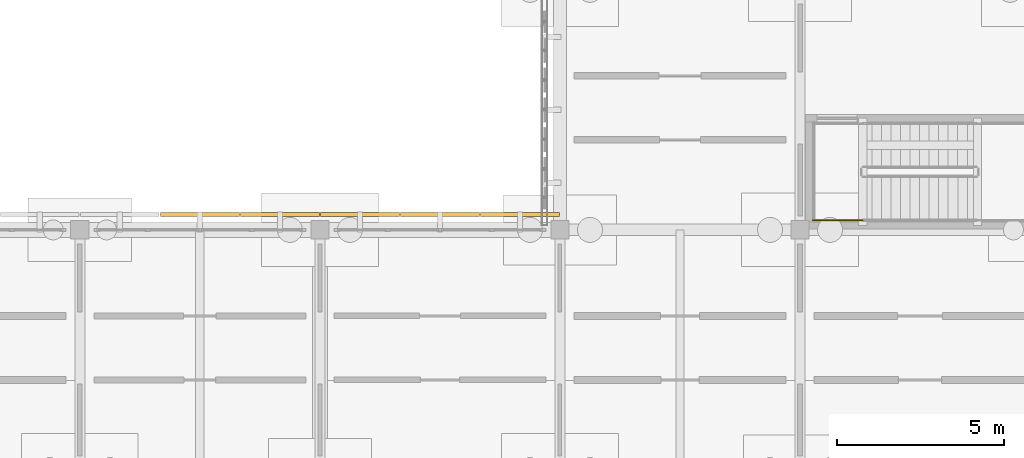
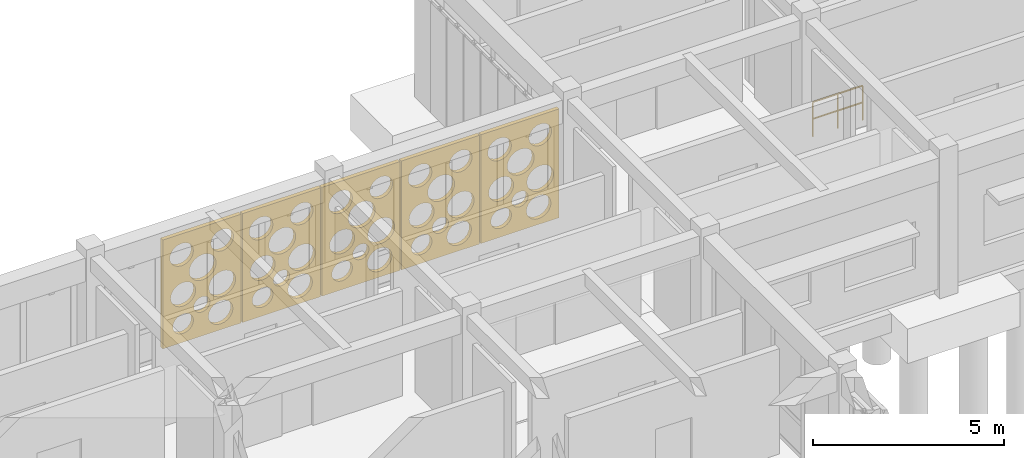
# One storey, part 105 of 111: 5 coverings, 1 railing.
"""IFC4 building model written with IfcOpenShell, lengths in metres."""

from ifc_helpers import new_model, si_unit, direction, frame, origin, origin_2d, place, context, subcontext, project, spatial, polyline, circle, outline, extrude, material, layer, layer_set, type_object, element, save


model = new_model("IFC4")

# Units and contexts
model_context = context("Model", 3, precision=1e-05, world=origin(), true_north=direction((0.0, 1.0)))
body_context = subcontext(model_context, "Body", "Model", "MODEL_VIEW")
ifc_project = project(units=[si_unit("LENGTHUNIT", "METRE"), si_unit("AREAUNIT", "SQUARE_METRE"), si_unit("VOLUMEUNIT", "CUBIC_METRE"), si_unit("PLANEANGLEUNIT", "RADIAN"), si_unit("MASSUNIT", "GRAM", prefix="KILO")], contexts=[model_context])

# Site, building, storey
site_placement = place(None, origin())
site = spatial("IfcSite", under=ifc_project, at=site_placement, CompositionType="ELEMENT")
building_placement = place(site_placement, origin())
building = spatial("IfcBuilding", under=site, at=building_placement, Name="Aldebral Square Health Centre", CompositionType="ELEMENT")
storey_placement = place(building_placement, origin())
storey = spatial("IfcBuildingStorey", under=building, at=storey_placement, Name="L00", CompositionType="ELEMENT", Elevation=0.0)

# Coverings
ifc_material_1 = material(Name="Cream cantera perforated stone screen", Category="masonry")
ifc_layer = layer(ifc_material_1, 0.1201171875, Name="Cream cantera perforated stone screen", Category="masonry")
ifc_layer_set = layer_set([ifc_layer], Name="Cream cantera perforated stone screen")
covering_type = type_object("IfcCoveringType", Name="COV-SCR-120", PredefinedType="CLADDING", material=ifc_layer_set)
covering_1_placement = place(storey_placement, frame((100.780029296875, 101.260009765625, 0.0), z_axis=(0.0, 0.0, 1.0), x_axis=(-1.0, 0.0, 0.0)))
element("IfcCovering", 1, at=covering_1_placement, inside=storey, type_object=covering_type, Name="L00 V1 circular-aperture stone screen L00-V1-13-13-N.1", PredefinedType="CLADDING", context=body_context, shape_type="SweptSolid", body=[
    extrude(outline(polyline([(0.0, 0.0), (2.360107421875, 0.0), (2.360107421875, 3.469970703125), (0.0, 3.469970703125), (0.0, 0.0)]), holes=[polyline([(0.98486328125, 0.55517578125), (0.966552734375, 0.4404296875), (0.913818359375, 0.3369140625), (0.831787109375, 0.2548828125), (0.728271484375, 0.2021484375), (0.613525390625, 0.18408203125), (0.498779296875, 0.2021484375), (0.3955078125, 0.2548828125), (0.313232421875, 0.3369140625), (0.260498046875, 0.4404296875), (0.242431640625, 0.55517578125), (0.260498046875, 0.669921875), (0.313232421875, 0.7734375), (0.3955078125, 0.85546875), (0.498779296875, 0.908203125), (0.613525390625, 0.926513671875), (0.728271484375, 0.908203125), (0.831787109375, 0.85546875), (0.913818359375, 0.7734375), (0.966552734375, 0.669921875), (0.98486328125, 0.55517578125)]), polyline([(2.059326171875, 0.58984375), (2.0439453125, 0.4931640625), (1.99951171875, 0.406005859375), (1.930419921875, 0.336669921875), (1.843017578125, 0.292236328125), (1.746337890625, 0.277099609375), (1.649658203125, 0.292236328125), (1.5625, 0.336669921875), (1.4931640625, 0.406005859375), (1.44873046875, 0.4931640625), (1.43359375, 0.58984375), (1.44873046875, 0.6865234375), (1.4931640625, 0.77392578125), (1.5625, 0.843017578125), (1.649658203125, 0.887451171875), (1.746337890625, 0.90283203125), (1.843017578125, 0.887451171875), (1.930419921875, 0.843017578125), (1.99951171875, 0.77392578125), (2.0439453125, 0.6865234375), (2.059326171875, 0.58984375)]), polyline([(0.970703125, 1.45751953125), (0.950927734375, 1.33251953125), (0.8935546875, 1.2197265625), (0.803955078125, 1.13037109375), (0.69140625, 1.072998046875), (0.56640625, 1.052978515625), (0.44140625, 1.072998046875), (0.328857421875, 1.13037109375), (0.2392578125, 1.2197265625), (0.181884765625, 1.33251953125), (0.162109375, 1.45751953125), (0.181884765625, 1.582275390625), (0.2392578125, 1.695068359375), (0.328857421875, 1.784423828125), (0.44140625, 1.841796875), (0.56640625, 1.86181640625), (0.69140625, 1.841796875), (0.803955078125, 1.784423828125), (0.8935546875, 1.695068359375), (0.950927734375, 1.582275390625), (0.970703125, 1.45751953125)]), polyline([(2.124267578125, 1.52685546875), (2.105712890625, 1.41015625), (2.052001953125, 1.3046875), (1.968505859375, 1.22119140625), (1.863037109375, 1.16748046875), (1.746337890625, 1.14892578125), (1.629638671875, 1.16748046875), (1.5244140625, 1.22119140625), (1.440673828125, 1.3046875), (1.38720703125, 1.41015625), (1.36865234375, 1.52685546875), (1.38720703125, 1.6435546875), (1.440673828125, 1.748779296875), (1.5244140625, 1.83251953125), (1.629638671875, 1.88623046875), (1.746337890625, 1.904541015625), (1.863037109375, 1.88623046875), (1.968505859375, 1.83251953125), (2.052001953125, 1.748779296875), (2.105712890625, 1.6435546875), (2.124267578125, 1.52685546875)]), polyline([(1.42431640625, 1.00634765625), (1.412353515625, 0.9306640625), (1.377685546875, 0.862548828125), (1.32373046875, 0.80859375), (1.255615234375, 0.77392578125), (1.179931640625, 0.761962890625), (1.1044921875, 0.77392578125), (1.036376953125, 0.80859375), (0.982177734375, 0.862548828125), (0.947509765625, 0.9306640625), (0.935546875, 1.00634765625), (0.947509765625, 1.081787109375), (0.982177734375, 1.14990234375), (1.036376953125, 1.2041015625), (1.1044921875, 1.23876953125), (1.179931640625, 1.250732421875), (1.255615234375, 1.23876953125), (1.32373046875, 1.2041015625), (1.377685546875, 1.14990234375), (1.412353515625, 1.081787109375), (1.42431640625, 1.00634765625)]), polyline([(1.563232421875, 2.18603515625), (1.54345703125, 2.060302734375), (1.485595703125, 1.947021484375), (1.3955078125, 1.85693359375), (1.2822265625, 1.799072265625), (1.156494140625, 1.779296875), (1.03076171875, 1.799072265625), (0.917236328125, 1.85693359375), (0.8271484375, 1.947021484375), (0.76953125, 2.060302734375), (0.74951171875, 2.18603515625), (0.76953125, 2.311767578125), (0.8271484375, 2.42529296875), (0.917236328125, 2.515380859375), (1.03076171875, 2.572998046875), (1.156494140625, 2.593017578125), (1.2822265625, 2.572998046875), (1.3955078125, 2.515380859375), (1.485595703125, 2.42529296875), (1.54345703125, 2.311767578125), (1.563232421875, 2.18603515625)]), polyline([(0.9091796875, 2.845458984375), (0.892333984375, 2.739501953125), (0.84375, 2.64404296875), (0.767822265625, 2.568115234375), (0.67236328125, 2.51953125), (0.56640625, 2.502685546875), (0.46044921875, 2.51953125), (0.364990234375, 2.568115234375), (0.2890625, 2.64404296875), (0.240478515625, 2.739501953125), (0.2236328125, 2.845458984375), (0.240478515625, 2.951416015625), (0.2890625, 3.046875), (0.364990234375, 3.12255859375), (0.46044921875, 3.17138671875), (0.56640625, 3.18798828125), (0.67236328125, 3.17138671875), (0.767822265625, 3.12255859375), (0.84375, 3.046875), (0.892333984375, 2.951416015625), (0.9091796875, 2.845458984375)]), polyline([(2.1513671875, 2.810791015625), (2.1337890625, 2.7001953125), (2.0830078125, 2.600341796875), (2.00390625, 2.521240234375), (1.904052734375, 2.470458984375), (1.793701171875, 2.452880859375), (1.68310546875, 2.470458984375), (1.583251953125, 2.521240234375), (1.504150390625, 2.600341796875), (1.453369140625, 2.7001953125), (1.435791015625, 2.810791015625), (1.453369140625, 2.921142578125), (1.504150390625, 3.02099609375), (1.583251953125, 3.10009765625), (1.68310546875, 3.15087890625), (1.793701171875, 3.16845703125), (1.904052734375, 3.15087890625), (2.00390625, 3.10009765625), (2.0830078125, 3.02099609375), (2.1337890625, 2.921142578125), (2.1513671875, 2.810791015625)])]), frame((0.0, 0.06005859375, 0.0), z_axis=(0.0, -1.0, 0.0), x_axis=(1.0, 0.0, 0.0)), (0.0, 0.0, 1.0), 0.1201171875),
])
covering_2_placement = place(storey_placement, frame((98.3798828125, 101.260009765625, 0.0), z_axis=(0.0, 0.0, 1.0), x_axis=(-1.0, 0.0, 0.0)))
element("IfcCovering", 2, at=covering_2_placement, inside=storey, type_object=covering_type, Name="L00 V1 circular-aperture stone screen L00-V1-13-13-N.2", PredefinedType="CLADDING", context=body_context, shape_type="SweptSolid", body=[
    extrude(outline(polyline([(0.0, 0.0), (2.35986328125, 0.0), (2.35986328125, 3.469970703125), (0.0, 3.469970703125), (0.0, 0.0)]), holes=[polyline([(0.98486328125, 0.55517578125), (0.966552734375, 0.4404296875), (0.913818359375, 0.3369140625), (0.831787109375, 0.2548828125), (0.728271484375, 0.2021484375), (0.613525390625, 0.18408203125), (0.498779296875, 0.2021484375), (0.3955078125, 0.2548828125), (0.313232421875, 0.3369140625), (0.260498046875, 0.4404296875), (0.242431640625, 0.55517578125), (0.260498046875, 0.669921875), (0.313232421875, 0.7734375), (0.3955078125, 0.85546875), (0.498779296875, 0.908203125), (0.613525390625, 0.926513671875), (0.728271484375, 0.908203125), (0.831787109375, 0.85546875), (0.913818359375, 0.7734375), (0.966552734375, 0.669921875), (0.98486328125, 0.55517578125)]), polyline([(2.059326171875, 0.58984375), (2.0439453125, 0.4931640625), (1.99951171875, 0.406005859375), (1.930419921875, 0.336669921875), (1.843017578125, 0.292236328125), (1.746337890625, 0.277099609375), (1.649658203125, 0.292236328125), (1.5625, 0.336669921875), (1.4931640625, 0.406005859375), (1.44873046875, 0.4931640625), (1.43359375, 0.58984375), (1.44873046875, 0.6865234375), (1.4931640625, 0.77392578125), (1.5625, 0.843017578125), (1.649658203125, 0.887451171875), (1.746337890625, 0.90283203125), (1.843017578125, 0.887451171875), (1.930419921875, 0.843017578125), (1.99951171875, 0.77392578125), (2.0439453125, 0.6865234375), (2.059326171875, 0.58984375)]), polyline([(0.970703125, 1.45751953125), (0.950927734375, 1.33251953125), (0.8935546875, 1.2197265625), (0.803955078125, 1.13037109375), (0.69140625, 1.072998046875), (0.56640625, 1.052978515625), (0.44140625, 1.072998046875), (0.328857421875, 1.13037109375), (0.2392578125, 1.2197265625), (0.181884765625, 1.33251953125), (0.162109375, 1.45751953125), (0.181884765625, 1.582275390625), (0.2392578125, 1.695068359375), (0.328857421875, 1.784423828125), (0.44140625, 1.841796875), (0.56640625, 1.86181640625), (0.69140625, 1.841796875), (0.803955078125, 1.784423828125), (0.8935546875, 1.695068359375), (0.950927734375, 1.582275390625), (0.970703125, 1.45751953125)]), polyline([(2.124267578125, 1.52685546875), (2.105712890625, 1.41015625), (2.052001953125, 1.3046875), (1.968505859375, 1.22119140625), (1.863037109375, 1.16748046875), (1.746337890625, 1.14892578125), (1.629638671875, 1.16748046875), (1.5244140625, 1.22119140625), (1.440673828125, 1.3046875), (1.38720703125, 1.41015625), (1.36865234375, 1.52685546875), (1.38720703125, 1.6435546875), (1.440673828125, 1.748779296875), (1.5244140625, 1.83251953125), (1.629638671875, 1.88623046875), (1.746337890625, 1.904541015625), (1.863037109375, 1.88623046875), (1.968505859375, 1.83251953125), (2.052001953125, 1.748779296875), (2.105712890625, 1.6435546875), (2.124267578125, 1.52685546875)]), polyline([(1.42431640625, 1.00634765625), (1.412353515625, 0.9306640625), (1.377685546875, 0.862548828125), (1.32373046875, 0.80859375), (1.255615234375, 0.77392578125), (1.179931640625, 0.761962890625), (1.1044921875, 0.77392578125), (1.036376953125, 0.80859375), (0.982177734375, 0.862548828125), (0.947509765625, 0.9306640625), (0.935546875, 1.00634765625), (0.947509765625, 1.081787109375), (0.982177734375, 1.14990234375), (1.036376953125, 1.2041015625), (1.1044921875, 1.23876953125), (1.179931640625, 1.250732421875), (1.255615234375, 1.23876953125), (1.32373046875, 1.2041015625), (1.377685546875, 1.14990234375), (1.412353515625, 1.081787109375), (1.42431640625, 1.00634765625)]), polyline([(1.563232421875, 2.18603515625), (1.54345703125, 2.060302734375), (1.485595703125, 1.947021484375), (1.3955078125, 1.85693359375), (1.2822265625, 1.799072265625), (1.156494140625, 1.779296875), (1.03076171875, 1.799072265625), (0.917236328125, 1.85693359375), (0.8271484375, 1.947021484375), (0.76953125, 2.060302734375), (0.74951171875, 2.18603515625), (0.76953125, 2.311767578125), (0.8271484375, 2.42529296875), (0.917236328125, 2.515380859375), (1.03076171875, 2.572998046875), (1.156494140625, 2.593017578125), (1.2822265625, 2.572998046875), (1.3955078125, 2.515380859375), (1.485595703125, 2.42529296875), (1.54345703125, 2.311767578125), (1.563232421875, 2.18603515625)]), polyline([(0.9091796875, 2.845458984375), (0.892333984375, 2.739501953125), (0.84375, 2.64404296875), (0.767822265625, 2.568115234375), (0.67236328125, 2.51953125), (0.56640625, 2.502685546875), (0.46044921875, 2.51953125), (0.364990234375, 2.568115234375), (0.2890625, 2.64404296875), (0.240478515625, 2.739501953125), (0.2236328125, 2.845458984375), (0.240478515625, 2.951416015625), (0.2890625, 3.046875), (0.364990234375, 3.12255859375), (0.46044921875, 3.17138671875), (0.56640625, 3.18798828125), (0.67236328125, 3.17138671875), (0.767822265625, 3.12255859375), (0.84375, 3.046875), (0.892333984375, 2.951416015625), (0.9091796875, 2.845458984375)]), polyline([(2.1513671875, 2.810791015625), (2.1337890625, 2.7001953125), (2.0830078125, 2.600341796875), (2.00390625, 2.521240234375), (1.904052734375, 2.470458984375), (1.793701171875, 2.452880859375), (1.68310546875, 2.470458984375), (1.583251953125, 2.521240234375), (1.504150390625, 2.600341796875), (1.453369140625, 2.7001953125), (1.435791015625, 2.810791015625), (1.453369140625, 2.921142578125), (1.504150390625, 3.02099609375), (1.583251953125, 3.10009765625), (1.68310546875, 3.15087890625), (1.793701171875, 3.16845703125), (1.904052734375, 3.15087890625), (2.00390625, 3.10009765625), (2.0830078125, 3.02099609375), (2.1337890625, 2.921142578125), (2.1513671875, 2.810791015625)])]), frame((0.0, 0.06005859375, 0.0), z_axis=(0.0, -1.0, 0.0), x_axis=(1.0, 0.0, 0.0)), (0.0, 0.0, 1.0), 0.1201171875),
])
covering_3_placement = place(storey_placement, frame((107.97998046875, 101.260009765625, 0.0), z_axis=(0.0, 0.0, 1.0), x_axis=(-1.0, 0.0, 0.0)))
element("IfcCovering", 3, at=covering_3_placement, inside=storey, type_object=covering_type, Name="L00 V1 circular-aperture stone screen L00-V1-14-13-N.1", PredefinedType="CLADDING", context=body_context, shape_type="SweptSolid", body=[
    extrude(outline(polyline([(0.0, 0.0), (2.35986328125, 0.0), (2.35986328125, 3.469970703125), (0.0, 3.469970703125), (0.0, 0.0)]), holes=[polyline([(0.98486328125, 0.55517578125), (0.966552734375, 0.4404296875), (0.913818359375, 0.3369140625), (0.831787109375, 0.2548828125), (0.728271484375, 0.2021484375), (0.613525390625, 0.18408203125), (0.498779296875, 0.2021484375), (0.3955078125, 0.2548828125), (0.313232421875, 0.3369140625), (0.260498046875, 0.4404296875), (0.242431640625, 0.55517578125), (0.260498046875, 0.669921875), (0.313232421875, 0.7734375), (0.3955078125, 0.85546875), (0.498779296875, 0.908203125), (0.613525390625, 0.926513671875), (0.728271484375, 0.908203125), (0.831787109375, 0.85546875), (0.913818359375, 0.7734375), (0.966552734375, 0.669921875), (0.98486328125, 0.55517578125)]), polyline([(2.059326171875, 0.58984375), (2.0439453125, 0.4931640625), (1.99951171875, 0.406005859375), (1.930419921875, 0.336669921875), (1.843017578125, 0.292236328125), (1.746337890625, 0.277099609375), (1.649658203125, 0.292236328125), (1.5625, 0.336669921875), (1.4931640625, 0.406005859375), (1.44873046875, 0.4931640625), (1.43359375, 0.58984375), (1.44873046875, 0.6865234375), (1.4931640625, 0.77392578125), (1.5625, 0.843017578125), (1.649658203125, 0.887451171875), (1.746337890625, 0.90283203125), (1.843017578125, 0.887451171875), (1.930419921875, 0.843017578125), (1.99951171875, 0.77392578125), (2.0439453125, 0.6865234375), (2.059326171875, 0.58984375)]), polyline([(0.970703125, 1.45751953125), (0.950927734375, 1.33251953125), (0.8935546875, 1.2197265625), (0.803955078125, 1.13037109375), (0.69140625, 1.072998046875), (0.56640625, 1.052978515625), (0.44140625, 1.072998046875), (0.328857421875, 1.13037109375), (0.2392578125, 1.2197265625), (0.181884765625, 1.33251953125), (0.162109375, 1.45751953125), (0.181884765625, 1.582275390625), (0.2392578125, 1.695068359375), (0.328857421875, 1.784423828125), (0.44140625, 1.841796875), (0.56640625, 1.86181640625), (0.69140625, 1.841796875), (0.803955078125, 1.784423828125), (0.8935546875, 1.695068359375), (0.950927734375, 1.582275390625), (0.970703125, 1.45751953125)]), polyline([(2.124267578125, 1.52685546875), (2.105712890625, 1.41015625), (2.052001953125, 1.3046875), (1.968505859375, 1.22119140625), (1.863037109375, 1.16748046875), (1.746337890625, 1.14892578125), (1.629638671875, 1.16748046875), (1.5244140625, 1.22119140625), (1.440673828125, 1.3046875), (1.38720703125, 1.41015625), (1.36865234375, 1.52685546875), (1.38720703125, 1.6435546875), (1.440673828125, 1.748779296875), (1.5244140625, 1.83251953125), (1.629638671875, 1.88623046875), (1.746337890625, 1.904541015625), (1.863037109375, 1.88623046875), (1.968505859375, 1.83251953125), (2.052001953125, 1.748779296875), (2.105712890625, 1.6435546875), (2.124267578125, 1.52685546875)]), polyline([(1.42431640625, 1.00634765625), (1.412353515625, 0.9306640625), (1.377685546875, 0.862548828125), (1.32373046875, 0.80859375), (1.255615234375, 0.77392578125), (1.179931640625, 0.761962890625), (1.1044921875, 0.77392578125), (1.036376953125, 0.80859375), (0.982177734375, 0.862548828125), (0.947509765625, 0.9306640625), (0.935546875, 1.00634765625), (0.947509765625, 1.081787109375), (0.982177734375, 1.14990234375), (1.036376953125, 1.2041015625), (1.1044921875, 1.23876953125), (1.179931640625, 1.250732421875), (1.255615234375, 1.23876953125), (1.32373046875, 1.2041015625), (1.377685546875, 1.14990234375), (1.412353515625, 1.081787109375), (1.42431640625, 1.00634765625)]), polyline([(1.563232421875, 2.18603515625), (1.54345703125, 2.060302734375), (1.485595703125, 1.947021484375), (1.3955078125, 1.85693359375), (1.2822265625, 1.799072265625), (1.156494140625, 1.779296875), (1.03076171875, 1.799072265625), (0.917236328125, 1.85693359375), (0.8271484375, 1.947021484375), (0.76953125, 2.060302734375), (0.74951171875, 2.18603515625), (0.76953125, 2.311767578125), (0.8271484375, 2.42529296875), (0.917236328125, 2.515380859375), (1.03076171875, 2.572998046875), (1.156494140625, 2.593017578125), (1.2822265625, 2.572998046875), (1.3955078125, 2.515380859375), (1.485595703125, 2.42529296875), (1.54345703125, 2.311767578125), (1.563232421875, 2.18603515625)]), polyline([(0.9091796875, 2.845458984375), (0.892333984375, 2.739501953125), (0.84375, 2.64404296875), (0.767822265625, 2.568115234375), (0.67236328125, 2.51953125), (0.56640625, 2.502685546875), (0.46044921875, 2.51953125), (0.364990234375, 2.568115234375), (0.2890625, 2.64404296875), (0.240478515625, 2.739501953125), (0.2236328125, 2.845458984375), (0.240478515625, 2.951416015625), (0.2890625, 3.046875), (0.364990234375, 3.12255859375), (0.46044921875, 3.17138671875), (0.56640625, 3.18798828125), (0.67236328125, 3.17138671875), (0.767822265625, 3.12255859375), (0.84375, 3.046875), (0.892333984375, 2.951416015625), (0.9091796875, 2.845458984375)]), polyline([(2.1513671875, 2.810791015625), (2.1337890625, 2.7001953125), (2.0830078125, 2.600341796875), (2.00390625, 2.521240234375), (1.904052734375, 2.470458984375), (1.793701171875, 2.452880859375), (1.68310546875, 2.470458984375), (1.583251953125, 2.521240234375), (1.504150390625, 2.600341796875), (1.453369140625, 2.7001953125), (1.435791015625, 2.810791015625), (1.453369140625, 2.921142578125), (1.504150390625, 3.02099609375), (1.583251953125, 3.10009765625), (1.68310546875, 3.15087890625), (1.793701171875, 3.16845703125), (1.904052734375, 3.15087890625), (2.00390625, 3.10009765625), (2.0830078125, 3.02099609375), (2.1337890625, 2.921142578125), (2.1513671875, 2.810791015625)])]), frame((0.0, 0.06005859375, 0.0), z_axis=(0.0, -1.0, 0.0), x_axis=(1.0, 0.0, 0.0)), (0.0, 0.0, 1.0), 0.1201171875),
])
covering_4_placement = place(storey_placement, frame((105.580078125, 101.260009765625, 0.0), z_axis=(0.0, 0.0, 1.0), x_axis=(-1.0, 0.0, 0.0)))
element("IfcCovering", 4, at=covering_4_placement, inside=storey, type_object=covering_type, Name="L00 V1 circular-aperture stone screen L00-V1-14-13-N.2", PredefinedType="CLADDING", context=body_context, shape_type="SweptSolid", body=[
    extrude(outline(polyline([(0.0, 0.0), (2.360107421875, 0.0), (2.360107421875, 3.469970703125), (0.0, 3.469970703125), (0.0, 0.0)]), holes=[polyline([(0.98486328125, 0.55517578125), (0.966552734375, 0.4404296875), (0.913818359375, 0.3369140625), (0.831787109375, 0.2548828125), (0.728271484375, 0.2021484375), (0.613525390625, 0.18408203125), (0.498779296875, 0.2021484375), (0.3955078125, 0.2548828125), (0.313232421875, 0.3369140625), (0.260498046875, 0.4404296875), (0.242431640625, 0.55517578125), (0.260498046875, 0.669921875), (0.313232421875, 0.7734375), (0.3955078125, 0.85546875), (0.498779296875, 0.908203125), (0.613525390625, 0.926513671875), (0.728271484375, 0.908203125), (0.831787109375, 0.85546875), (0.913818359375, 0.7734375), (0.966552734375, 0.669921875), (0.98486328125, 0.55517578125)]), polyline([(2.059326171875, 0.58984375), (2.0439453125, 0.4931640625), (1.99951171875, 0.406005859375), (1.930419921875, 0.336669921875), (1.843017578125, 0.292236328125), (1.746337890625, 0.277099609375), (1.649658203125, 0.292236328125), (1.5625, 0.336669921875), (1.4931640625, 0.406005859375), (1.44873046875, 0.4931640625), (1.43359375, 0.58984375), (1.44873046875, 0.6865234375), (1.4931640625, 0.77392578125), (1.5625, 0.843017578125), (1.649658203125, 0.887451171875), (1.746337890625, 0.90283203125), (1.843017578125, 0.887451171875), (1.930419921875, 0.843017578125), (1.99951171875, 0.77392578125), (2.0439453125, 0.6865234375), (2.059326171875, 0.58984375)]), polyline([(0.970703125, 1.45751953125), (0.950927734375, 1.33251953125), (0.8935546875, 1.2197265625), (0.803955078125, 1.13037109375), (0.69140625, 1.072998046875), (0.56640625, 1.052978515625), (0.44140625, 1.072998046875), (0.328857421875, 1.13037109375), (0.2392578125, 1.2197265625), (0.181884765625, 1.33251953125), (0.162109375, 1.45751953125), (0.181884765625, 1.582275390625), (0.2392578125, 1.695068359375), (0.328857421875, 1.784423828125), (0.44140625, 1.841796875), (0.56640625, 1.86181640625), (0.69140625, 1.841796875), (0.803955078125, 1.784423828125), (0.8935546875, 1.695068359375), (0.950927734375, 1.582275390625), (0.970703125, 1.45751953125)]), polyline([(2.124267578125, 1.52685546875), (2.105712890625, 1.41015625), (2.052001953125, 1.3046875), (1.968505859375, 1.22119140625), (1.863037109375, 1.16748046875), (1.746337890625, 1.14892578125), (1.629638671875, 1.16748046875), (1.5244140625, 1.22119140625), (1.440673828125, 1.3046875), (1.38720703125, 1.41015625), (1.36865234375, 1.52685546875), (1.38720703125, 1.6435546875), (1.440673828125, 1.748779296875), (1.5244140625, 1.83251953125), (1.629638671875, 1.88623046875), (1.746337890625, 1.904541015625), (1.863037109375, 1.88623046875), (1.968505859375, 1.83251953125), (2.052001953125, 1.748779296875), (2.105712890625, 1.6435546875), (2.124267578125, 1.52685546875)]), polyline([(1.42431640625, 1.00634765625), (1.412353515625, 0.9306640625), (1.377685546875, 0.862548828125), (1.32373046875, 0.80859375), (1.255615234375, 0.77392578125), (1.179931640625, 0.761962890625), (1.1044921875, 0.77392578125), (1.036376953125, 0.80859375), (0.982177734375, 0.862548828125), (0.947509765625, 0.9306640625), (0.935546875, 1.00634765625), (0.947509765625, 1.081787109375), (0.982177734375, 1.14990234375), (1.036376953125, 1.2041015625), (1.1044921875, 1.23876953125), (1.179931640625, 1.250732421875), (1.255615234375, 1.23876953125), (1.32373046875, 1.2041015625), (1.377685546875, 1.14990234375), (1.412353515625, 1.081787109375), (1.42431640625, 1.00634765625)]), polyline([(1.563232421875, 2.18603515625), (1.54345703125, 2.060302734375), (1.485595703125, 1.947021484375), (1.3955078125, 1.85693359375), (1.2822265625, 1.799072265625), (1.156494140625, 1.779296875), (1.03076171875, 1.799072265625), (0.917236328125, 1.85693359375), (0.8271484375, 1.947021484375), (0.76953125, 2.060302734375), (0.74951171875, 2.18603515625), (0.76953125, 2.311767578125), (0.8271484375, 2.42529296875), (0.917236328125, 2.515380859375), (1.03076171875, 2.572998046875), (1.156494140625, 2.593017578125), (1.2822265625, 2.572998046875), (1.3955078125, 2.515380859375), (1.485595703125, 2.42529296875), (1.54345703125, 2.311767578125), (1.563232421875, 2.18603515625)]), polyline([(0.9091796875, 2.845458984375), (0.892333984375, 2.739501953125), (0.84375, 2.64404296875), (0.767822265625, 2.568115234375), (0.67236328125, 2.51953125), (0.56640625, 2.502685546875), (0.46044921875, 2.51953125), (0.364990234375, 2.568115234375), (0.2890625, 2.64404296875), (0.240478515625, 2.739501953125), (0.2236328125, 2.845458984375), (0.240478515625, 2.951416015625), (0.2890625, 3.046875), (0.364990234375, 3.12255859375), (0.46044921875, 3.17138671875), (0.56640625, 3.18798828125), (0.67236328125, 3.17138671875), (0.767822265625, 3.12255859375), (0.84375, 3.046875), (0.892333984375, 2.951416015625), (0.9091796875, 2.845458984375)]), polyline([(2.1513671875, 2.810791015625), (2.1337890625, 2.7001953125), (2.0830078125, 2.600341796875), (2.00390625, 2.521240234375), (1.904052734375, 2.470458984375), (1.793701171875, 2.452880859375), (1.68310546875, 2.470458984375), (1.583251953125, 2.521240234375), (1.504150390625, 2.600341796875), (1.453369140625, 2.7001953125), (1.435791015625, 2.810791015625), (1.453369140625, 2.921142578125), (1.504150390625, 3.02099609375), (1.583251953125, 3.10009765625), (1.68310546875, 3.15087890625), (1.793701171875, 3.16845703125), (1.904052734375, 3.15087890625), (2.00390625, 3.10009765625), (2.0830078125, 3.02099609375), (2.1337890625, 2.921142578125), (2.1513671875, 2.810791015625)])]), frame((0.0, 0.06005859375, 0.0), z_axis=(0.0, -1.0, 0.0), x_axis=(1.0, 0.0, 0.0)), (0.0, 0.0, 1.0), 0.1201171875),
])
covering_5_placement = place(storey_placement, frame((103.179931640625, 101.260009765625, 0.0), z_axis=(0.0, 0.0, 1.0), x_axis=(-1.0, 0.0, 0.0)))
element("IfcCovering", 5, at=covering_5_placement, inside=storey, type_object=covering_type, Name="L00 V1 circular-aperture stone screen L00-V1-14-13-N.3", PredefinedType="CLADDING", context=body_context, shape_type="SweptSolid", body=[
    extrude(outline(polyline([(0.0, 0.0), (2.35986328125, 0.0), (2.35986328125, 3.469970703125), (0.0, 3.469970703125), (0.0, 0.0)]), holes=[polyline([(0.98486328125, 0.55517578125), (0.966552734375, 0.4404296875), (0.913818359375, 0.3369140625), (0.831787109375, 0.2548828125), (0.728271484375, 0.2021484375), (0.613525390625, 0.18408203125), (0.498779296875, 0.2021484375), (0.3955078125, 0.2548828125), (0.313232421875, 0.3369140625), (0.260498046875, 0.4404296875), (0.242431640625, 0.55517578125), (0.260498046875, 0.669921875), (0.313232421875, 0.7734375), (0.3955078125, 0.85546875), (0.498779296875, 0.908203125), (0.613525390625, 0.926513671875), (0.728271484375, 0.908203125), (0.831787109375, 0.85546875), (0.913818359375, 0.7734375), (0.966552734375, 0.669921875), (0.98486328125, 0.55517578125)]), polyline([(2.059326171875, 0.58984375), (2.0439453125, 0.4931640625), (1.99951171875, 0.406005859375), (1.930419921875, 0.336669921875), (1.843017578125, 0.292236328125), (1.746337890625, 0.277099609375), (1.649658203125, 0.292236328125), (1.5625, 0.336669921875), (1.4931640625, 0.406005859375), (1.44873046875, 0.4931640625), (1.43359375, 0.58984375), (1.44873046875, 0.6865234375), (1.4931640625, 0.77392578125), (1.5625, 0.843017578125), (1.649658203125, 0.887451171875), (1.746337890625, 0.90283203125), (1.843017578125, 0.887451171875), (1.930419921875, 0.843017578125), (1.99951171875, 0.77392578125), (2.0439453125, 0.6865234375), (2.059326171875, 0.58984375)]), polyline([(0.970703125, 1.45751953125), (0.950927734375, 1.33251953125), (0.8935546875, 1.2197265625), (0.803955078125, 1.13037109375), (0.69140625, 1.072998046875), (0.56640625, 1.052978515625), (0.44140625, 1.072998046875), (0.328857421875, 1.13037109375), (0.2392578125, 1.2197265625), (0.181884765625, 1.33251953125), (0.162109375, 1.45751953125), (0.181884765625, 1.582275390625), (0.2392578125, 1.695068359375), (0.328857421875, 1.784423828125), (0.44140625, 1.841796875), (0.56640625, 1.86181640625), (0.69140625, 1.841796875), (0.803955078125, 1.784423828125), (0.8935546875, 1.695068359375), (0.950927734375, 1.582275390625), (0.970703125, 1.45751953125)]), polyline([(2.124267578125, 1.52685546875), (2.105712890625, 1.41015625), (2.052001953125, 1.3046875), (1.968505859375, 1.22119140625), (1.863037109375, 1.16748046875), (1.746337890625, 1.14892578125), (1.629638671875, 1.16748046875), (1.5244140625, 1.22119140625), (1.440673828125, 1.3046875), (1.38720703125, 1.41015625), (1.36865234375, 1.52685546875), (1.38720703125, 1.6435546875), (1.440673828125, 1.748779296875), (1.5244140625, 1.83251953125), (1.629638671875, 1.88623046875), (1.746337890625, 1.904541015625), (1.863037109375, 1.88623046875), (1.968505859375, 1.83251953125), (2.052001953125, 1.748779296875), (2.105712890625, 1.6435546875), (2.124267578125, 1.52685546875)]), polyline([(1.42431640625, 1.00634765625), (1.412353515625, 0.9306640625), (1.377685546875, 0.862548828125), (1.32373046875, 0.80859375), (1.255615234375, 0.77392578125), (1.179931640625, 0.761962890625), (1.1044921875, 0.77392578125), (1.036376953125, 0.80859375), (0.982177734375, 0.862548828125), (0.947509765625, 0.9306640625), (0.935546875, 1.00634765625), (0.947509765625, 1.081787109375), (0.982177734375, 1.14990234375), (1.036376953125, 1.2041015625), (1.1044921875, 1.23876953125), (1.179931640625, 1.250732421875), (1.255615234375, 1.23876953125), (1.32373046875, 1.2041015625), (1.377685546875, 1.14990234375), (1.412353515625, 1.081787109375), (1.42431640625, 1.00634765625)]), polyline([(1.563232421875, 2.18603515625), (1.54345703125, 2.060302734375), (1.485595703125, 1.947021484375), (1.3955078125, 1.85693359375), (1.2822265625, 1.799072265625), (1.156494140625, 1.779296875), (1.03076171875, 1.799072265625), (0.917236328125, 1.85693359375), (0.8271484375, 1.947021484375), (0.76953125, 2.060302734375), (0.74951171875, 2.18603515625), (0.76953125, 2.311767578125), (0.8271484375, 2.42529296875), (0.917236328125, 2.515380859375), (1.03076171875, 2.572998046875), (1.156494140625, 2.593017578125), (1.2822265625, 2.572998046875), (1.3955078125, 2.515380859375), (1.485595703125, 2.42529296875), (1.54345703125, 2.311767578125), (1.563232421875, 2.18603515625)]), polyline([(0.9091796875, 2.845458984375), (0.892333984375, 2.739501953125), (0.84375, 2.64404296875), (0.767822265625, 2.568115234375), (0.67236328125, 2.51953125), (0.56640625, 2.502685546875), (0.46044921875, 2.51953125), (0.364990234375, 2.568115234375), (0.2890625, 2.64404296875), (0.240478515625, 2.739501953125), (0.2236328125, 2.845458984375), (0.240478515625, 2.951416015625), (0.2890625, 3.046875), (0.364990234375, 3.12255859375), (0.46044921875, 3.17138671875), (0.56640625, 3.18798828125), (0.67236328125, 3.17138671875), (0.767822265625, 3.12255859375), (0.84375, 3.046875), (0.892333984375, 2.951416015625), (0.9091796875, 2.845458984375)]), polyline([(2.1513671875, 2.810791015625), (2.1337890625, 2.7001953125), (2.0830078125, 2.600341796875), (2.00390625, 2.521240234375), (1.904052734375, 2.470458984375), (1.793701171875, 2.452880859375), (1.68310546875, 2.470458984375), (1.583251953125, 2.521240234375), (1.504150390625, 2.600341796875), (1.453369140625, 2.7001953125), (1.435791015625, 2.810791015625), (1.453369140625, 2.921142578125), (1.504150390625, 3.02099609375), (1.583251953125, 3.10009765625), (1.68310546875, 3.15087890625), (1.793701171875, 3.16845703125), (1.904052734375, 3.15087890625), (2.00390625, 3.10009765625), (2.0830078125, 3.02099609375), (2.1337890625, 2.921142578125), (2.1513671875, 2.810791015625)])]), frame((0.0, 0.06005859375, 0.0), z_axis=(0.0, -1.0, 0.0), x_axis=(1.0, 0.0, 0.0)), (0.0, 0.0, 1.0), 0.1201171875),
])

# Railing
ifc_material_2 = material(Name="Painted steel S355JR stair guard", Category="steel")
railing_type = type_object("IfcRailingType", Name="RL-ST-GRD", PredefinedType="GUARDRAIL", material=ifc_material_2)
railing_placement = place(storey_placement, frame((115.580078125, 101.090087890625, 0.0)))
element("IfcRailing", 6, at=railing_placement, inside=storey, type_object=railing_type, Name="L00 ST-10 stair guard 8", PredefinedType="GUARDRAIL", context=body_context, shape_type="SweptSolid", body=[
    extrude(circle(Radius=0.02392578125, at=origin_2d()), frame((0.0, 0.0, 1.09619140625), z_axis=(1.0, 0.0, 0.0), x_axis=(0.0, 1.0, 0.0)), (0.0, 0.0, 1.0), 1.5),
    extrude(circle(Radius=0.02392578125, at=origin_2d()), frame((0.0, 0.0, 0.56005859375), z_axis=(1.0, 0.0, 0.0), x_axis=(0.0, 1.0, 0.0)), (0.0, 0.0, 1.0), 1.5),
    extrude(circle(Radius=0.02099609375, at=origin_2d()), origin(), (0.0, 0.0, 1.0), 1.072021484375),
    extrude(circle(Radius=0.02099609375, at=origin_2d()), frame((0.75, 0.0, 0.0)), (0.0, 0.0, 1.0), 1.072021484375),
    extrude(circle(Radius=0.02099609375, at=origin_2d()), frame((1.5, 0.0, 0.0)), (0.0, 0.0, 1.0), 1.072021484375),
])

save(model, "model.ifc")
